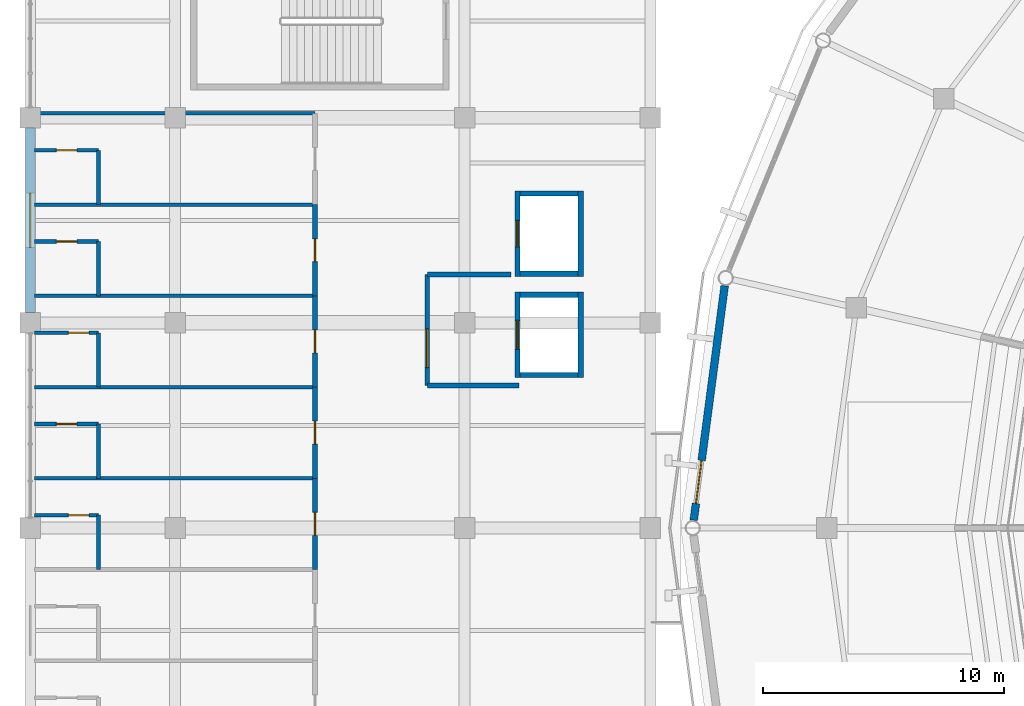
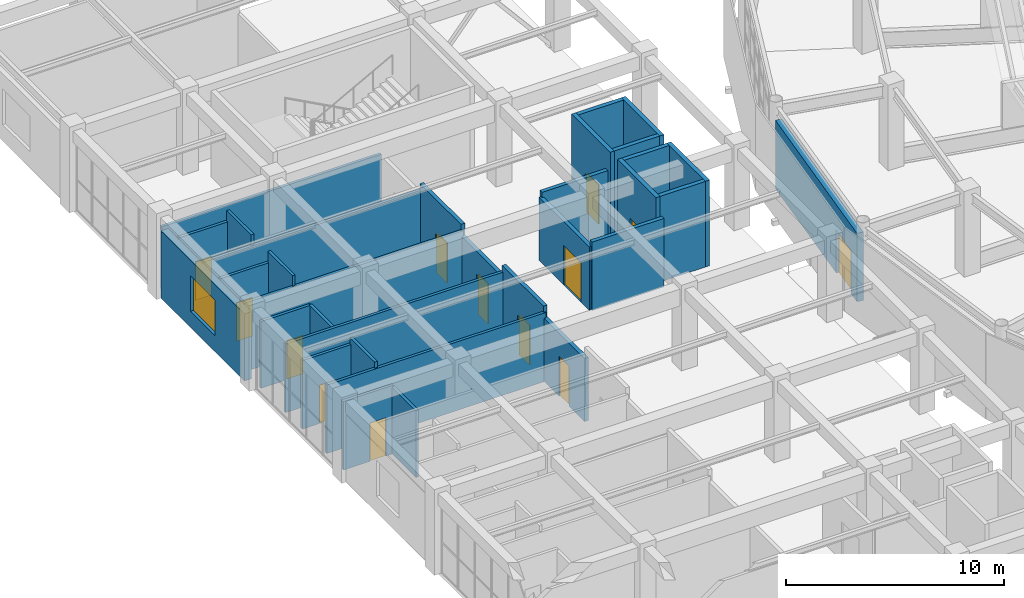
# One storey, part 97 of 122: 32 walls, 13 doors, 1 window, 14 openings.
"""IFC4 building model written with IfcOpenShell, lengths in metres."""

from ifc_helpers import new_model, si_unit, direction, frame, frame_2d, origin, place, context, subcontext, project, spatial, rectangle, extrude, material, layer, layer_set, type_object, element, fill, save


model = new_model("IFC4")

# Units and contexts
model_context = context("Model", 3, precision=1e-05, world=origin(), true_north=direction((0.0, 1.0)))
body_context = subcontext(model_context, "Body", "Model", "MODEL_VIEW")
ifc_project = project(units=[si_unit("LENGTHUNIT", "METRE"), si_unit("AREAUNIT", "SQUARE_METRE"), si_unit("VOLUMEUNIT", "CUBIC_METRE"), si_unit("PLANEANGLEUNIT", "RADIAN"), si_unit("MASSUNIT", "GRAM", prefix="KILO")], contexts=[model_context])

# Site, building, storey
site_placement = place(None, origin())
site = spatial("IfcSite", under=ifc_project, at=site_placement, CompositionType="ELEMENT")
building_placement = place(site_placement, origin())
building = spatial("IfcBuilding", under=site, at=building_placement, Name="Cuetzalor Civic Arena", CompositionType="ELEMENT")
storey_placement = place(building_placement, frame((0.0, 0.0, 16.199951171875)))
storey = spatial("IfcBuildingStorey", under=building, at=storey_placement, Name="L03", CompositionType="ELEMENT", Elevation=16.199951171875)

# Wall, opening, door
ifc_material_1 = material(Name="Acoustic steel-stud gypsum partition", Category="steel")
ifc_layer_1 = layer(ifc_material_1, 0.14990234375)
ifc_layer_set_1 = layer_set([ifc_layer_1], Name="Acoustic steel-stud gypsum partition")
wall_type_1 = type_object("IfcWallType", Name="AcousticGypsumPartition_150", PredefinedType="PARTITIONING", material=ifc_layer_set_1)
wall_1_placement = place(storey_placement, frame((-81.820068359375, 0.530029296875, 0.0), z_axis=(0.0, 0.0, 1.0), x_axis=(1.0, 0.0, 0.0)))
wall_1 = element("IfcWall", 1, at=wall_1_placement, inside=storey, type_object=wall_type_1, Name="Interior Partition IWALL:L03:0412", PredefinedType="PARTITIONING", context=body_context, shape_type="SweptSolid", body=[
    extrude(rectangle(XDim=2.650146484375, YDim=0.14990234375, at=frame_2d((1.3251953125, 0.0))), origin(), (0.0, 0.0, 1.0), 3.844970703125),
])
opening_1_placement = place(wall_1_placement, frame((1.39990234375, 0.0, 0.0)))
opening_1 = element("IfcOpeningElement", 2, at=opening_1_placement, cuts=wall_1, Name="Opening ID-01", PredefinedType="OPENING", context=body_context, shape_type="SweptSolid", body=[
    extrude(rectangle(XDim=0.85009765625, YDim=2.14990234375, at=frame_2d((0.425048828125, 1.074951171875))), frame((0.0, 0.0849609375, 0.0), z_axis=(0.0, -1.0, 0.0), x_axis=(1.0, 0.0, 0.0)), (0.0, 0.0, 1.0), 0.169921875),
])
ifc_material_2 = material(Name="Painted steel frame and solid timber leaf", Category="steel")
door_type_1 = type_object("IfcDoorType", Name="InteriorSingleDoor_850x2150", OperationType="NOTDEFINED", PredefinedType="DOOR", material=ifc_material_2)
door_1_placement = place(opening_1_placement, origin())
door_1 = element("IfcDoor", 3, at=door_1_placement, inside=storey, type_object=door_type_1, Name="Door to Suite Bathroom 307", OperationType="SINGLE_SWING_LEFT", OverallHeight=2.14990234375, OverallWidth=0.85009765625, PredefinedType="DOOR", context=body_context, shape_type="SweptSolid", body=[
    extrude(rectangle(XDim=0.85009765625, YDim=2.14990234375, at=frame_2d((0.425048828125, 1.074951171875))), frame((0.0, 0.02490234375, 0.0), z_axis=(0.0, -1.0, 0.0), x_axis=(1.0, 0.0, 0.0)), (0.0, 0.0, 1.0), 0.050048828125),
])
fill(opening_1, door_1)

# Walls
wall_2_placement = place(storey_placement, frame((-79.169921875, 0.530029296875, 0.0), z_axis=(0.0, 0.0, 1.0), x_axis=(0.0, -1.0, 0.0)))
element("IfcWall", 4, at=wall_2_placement, inside=storey, type_object=wall_type_1, Name="Interior Partition IWALL:L03:0413", PredefinedType="PARTITIONING", context=body_context, shape_type="SweptSolid", body=[
    extrude(rectangle(XDim=2.25, YDim=0.14990234375, at=frame_2d((1.125, 0.0))), origin(), (0.0, 0.0, 1.0), 3.7451171875),
])
wall_3_placement = place(storey_placement, frame((-81.820068359375, 2.06005859375, 0.0), z_axis=(0.0, 0.0, 1.0), x_axis=(1.0, 0.0, 0.0)))
element("IfcWall", 5, at=wall_3_placement, inside=storey, type_object=wall_type_1, Name="Interior Partition IWALL:L03:0415", PredefinedType="PARTITIONING", context=body_context, shape_type="SweptSolid", body=[
    extrude(rectangle(XDim=11.6201171875, YDim=0.14990234375, at=frame_2d((5.81005859375, 0.0))), origin(), (0.0, 0.0, 1.0), 3.844970703125),
])

# Wall, opening, door
wall_4_placement = place(storey_placement, frame((-81.820068359375, 4.31005859375, 0.0), z_axis=(0.0, 0.0, 1.0), x_axis=(1.0, 0.0, 0.0)))
wall_4 = element("IfcWall", 6, at=wall_4_placement, inside=storey, type_object=wall_type_1, Name="Interior Partition IWALL:L03:0416", PredefinedType="PARTITIONING", context=body_context, shape_type="SweptSolid", body=[
    extrude(rectangle(XDim=2.650146484375, YDim=0.14990234375, at=frame_2d((1.3251953125, 0.0))), origin(), (0.0, 0.0, 1.0), 3.844970703125),
])
opening_2_placement = place(wall_4_placement, frame((0.89990234375, 0.0, 0.0)))
opening_2 = element("IfcOpeningElement", 7, at=opening_2_placement, cuts=wall_4, Name="Opening ID-01", PredefinedType="OPENING", context=body_context, shape_type="SweptSolid", body=[
    extrude(rectangle(XDim=0.85009765625, YDim=2.14990234375, at=frame_2d((0.425048828125, 1.074951171875))), frame((0.0, 0.0849609375, 0.0), z_axis=(0.0, -1.0, 0.0), x_axis=(1.0, 0.0, 0.0)), (0.0, 0.0, 1.0), 0.169921875),
])
door_2_placement = place(opening_2_placement, origin())
door_2 = element("IfcDoor", 8, at=door_2_placement, inside=storey, type_object=door_type_1, Name="Door to Suite Bathroom 308", OperationType="SINGLE_SWING_LEFT", OverallHeight=2.14990234375, OverallWidth=0.85009765625, PredefinedType="DOOR", context=body_context, shape_type="SweptSolid", body=[
    extrude(rectangle(XDim=0.85009765625, YDim=2.14990234375, at=frame_2d((0.425048828125, 1.074951171875))), frame((0.0, 0.02490234375, 0.0), z_axis=(0.0, -1.0, 0.0), x_axis=(1.0, 0.0, 0.0)), (0.0, 0.0, 1.0), 0.050048828125),
])
fill(opening_2, door_2)

# Walls
wall_5_placement = place(storey_placement, frame((-79.169921875, 4.31005859375, 0.0), z_axis=(0.0, 0.0, 1.0), x_axis=(0.0, -1.0, 0.0)))
element("IfcWall", 9, at=wall_5_placement, inside=storey, type_object=wall_type_1, Name="Interior Partition IWALL:L03:0417", PredefinedType="PARTITIONING", context=body_context, shape_type="SweptSolid", body=[
    extrude(rectangle(XDim=2.25, YDim=0.14990234375, at=frame_2d((1.125, 0.0))), origin(), (0.0, 0.0, 1.0), 4.18212890625),
])
wall_6_placement = place(storey_placement, frame((-81.820068359375, 5.840087890625, 0.0), z_axis=(0.0, 0.0, 1.0), x_axis=(1.0, 0.0, 0.0)))
element("IfcWall", 10, at=wall_6_placement, inside=storey, type_object=wall_type_1, Name="Interior Partition IWALL:L03:0419", PredefinedType="PARTITIONING", context=body_context, shape_type="SweptSolid", body=[
    extrude(rectangle(XDim=11.6201171875, YDim=0.14990234375, at=frame_2d((5.81005859375, 0.0))), origin(), (0.0, 0.0, 1.0), 3.844970703125),
])

# Wall, opening, door
wall_7_placement = place(storey_placement, frame((-81.820068359375, 8.090087890625, 0.0), z_axis=(0.0, 0.0, 1.0), x_axis=(1.0, 0.0, 0.0)))
wall_7 = element("IfcWall", 11, at=wall_7_placement, inside=storey, type_object=wall_type_1, Name="Interior Partition IWALL:L03:0420", PredefinedType="PARTITIONING", context=body_context, shape_type="SweptSolid", body=[
    extrude(rectangle(XDim=2.650146484375, YDim=0.14990234375, at=frame_2d((1.3251953125, 0.0))), origin(), (0.0, 0.0, 1.0), 3.7451171875),
])
opening_3_placement = place(wall_7_placement, frame((1.39990234375, 0.0, 0.0)))
opening_3 = element("IfcOpeningElement", 12, at=opening_3_placement, cuts=wall_7, Name="Opening ID-01", PredefinedType="OPENING", context=body_context, shape_type="SweptSolid", body=[
    extrude(rectangle(XDim=0.85009765625, YDim=2.14990234375, at=frame_2d((0.425048828125, 1.074951171875))), frame((0.0, 0.0849609375, 0.0), z_axis=(0.0, -1.0, 0.0), x_axis=(1.0, 0.0, 0.0)), (0.0, 0.0, 1.0), 0.169921875),
])
door_3_placement = place(opening_3_placement, origin())
door_3 = element("IfcDoor", 13, at=door_3_placement, inside=storey, type_object=door_type_1, Name="Door to Suite Bathroom 309", OperationType="SINGLE_SWING_LEFT", OverallHeight=2.14990234375, OverallWidth=0.85009765625, PredefinedType="DOOR", context=body_context, shape_type="SweptSolid", body=[
    extrude(rectangle(XDim=0.85009765625, YDim=2.14990234375, at=frame_2d((0.425048828125, 1.074951171875))), frame((0.0, 0.02490234375, 0.0), z_axis=(0.0, -1.0, 0.0), x_axis=(1.0, 0.0, 0.0)), (0.0, 0.0, 1.0), 0.050048828125),
])
fill(opening_3, door_3)

# Walls
wall_8_placement = place(storey_placement, frame((-79.169921875, 8.090087890625, 0.0), z_axis=(0.0, 0.0, 1.0), x_axis=(0.0, -1.0, 0.0)))
element("IfcWall", 14, at=wall_8_placement, inside=storey, type_object=wall_type_1, Name="Interior Partition IWALL:L03:0421", PredefinedType="PARTITIONING", context=body_context, shape_type="SweptSolid", body=[
    extrude(rectangle(XDim=2.25, YDim=0.14990234375, at=frame_2d((1.125, 0.0))), origin(), (0.0, 0.0, 1.0), 3.7451171875),
])
wall_9_placement = place(storey_placement, frame((-81.820068359375, 9.6201171875, 0.0), z_axis=(0.0, 0.0, 1.0), x_axis=(1.0, 0.0, 0.0)))
element("IfcWall", 15, at=wall_9_placement, inside=storey, type_object=wall_type_1, Name="Interior Partition IWALL:L03:0423", PredefinedType="PARTITIONING", context=body_context, shape_type="SweptSolid", body=[
    extrude(rectangle(XDim=11.6201171875, YDim=0.14990234375, at=frame_2d((5.81005859375, 0.0))), origin(), (0.0, 0.0, 1.0), 3.844970703125),
])

# Wall, opening, door
wall_10_placement = place(storey_placement, frame((-81.820068359375, 11.8701171875, 0.0), z_axis=(0.0, 0.0, 1.0), x_axis=(1.0, 0.0, 0.0)))
wall_10 = element("IfcWall", 16, at=wall_10_placement, inside=storey, type_object=wall_type_1, Name="Interior Partition IWALL:L03:0424", PredefinedType="PARTITIONING", context=body_context, shape_type="SweptSolid", body=[
    extrude(rectangle(XDim=2.650146484375, YDim=0.14990234375, at=frame_2d((1.3251953125, 0.0))), origin(), (0.0, 0.0, 1.0), 3.844970703125),
])
opening_4_placement = place(wall_10_placement, frame((0.89990234375, 0.0, 0.0)))
opening_4 = element("IfcOpeningElement", 17, at=opening_4_placement, cuts=wall_10, Name="Opening ID-01", PredefinedType="OPENING", context=body_context, shape_type="SweptSolid", body=[
    extrude(rectangle(XDim=0.85009765625, YDim=2.14990234375, at=frame_2d((0.425048828125, 1.074951171875))), frame((0.0, 0.0849609375, 0.0), z_axis=(0.0, -1.0, 0.0), x_axis=(1.0, 0.0, 0.0)), (0.0, 0.0, 1.0), 0.169921875),
])
door_4_placement = place(opening_4_placement, origin())
door_4 = element("IfcDoor", 18, at=door_4_placement, inside=storey, type_object=door_type_1, Name="Door to Suite Bathroom 310", OperationType="SINGLE_SWING_LEFT", OverallHeight=2.14990234375, OverallWidth=0.85009765625, PredefinedType="DOOR", context=body_context, shape_type="SweptSolid", body=[
    extrude(rectangle(XDim=0.85009765625, YDim=2.14990234375, at=frame_2d((0.425048828125, 1.074951171875))), frame((0.0, 0.02490234375, 0.0), z_axis=(0.0, -1.0, 0.0), x_axis=(1.0, 0.0, 0.0)), (0.0, 0.0, 1.0), 0.050048828125),
])
fill(opening_4, door_4)

# Walls
wall_11_placement = place(storey_placement, frame((-79.169921875, 11.8701171875, 0.0), z_axis=(0.0, 0.0, 1.0), x_axis=(0.0, -1.0, 0.0)))
element("IfcWall", 19, at=wall_11_placement, inside=storey, type_object=wall_type_1, Name="Interior Partition IWALL:L03:0425", PredefinedType="PARTITIONING", context=body_context, shape_type="SweptSolid", body=[
    extrude(rectangle(XDim=2.25, YDim=0.14990234375, at=frame_2d((1.125, 0.0))), origin(), (0.0, 0.0, 1.0), 4.43994140625),
])
wall_12_placement = place(storey_placement, frame((-81.820068359375, 13.39990234375, 0.0), z_axis=(0.0, 0.0, 1.0), x_axis=(1.0, 0.0, 0.0)))
element("IfcWall", 20, at=wall_12_placement, inside=storey, type_object=wall_type_1, Name="Interior Partition IWALL:L03:0427", PredefinedType="PARTITIONING", context=body_context, shape_type="SweptSolid", body=[
    extrude(rectangle(XDim=11.6201171875, YDim=0.14990234375, at=frame_2d((5.81005859375, 0.0))), origin(), (0.0, 0.0, 1.0), 3.844970703125),
])

# Wall, opening, door
wall_13_placement = place(storey_placement, frame((-81.820068359375, 15.64990234375, 0.0), z_axis=(0.0, 0.0, 1.0), x_axis=(1.0, 0.0, 0.0)))
wall_13 = element("IfcWall", 21, at=wall_13_placement, inside=storey, type_object=wall_type_1, Name="Interior Partition IWALL:L03:0428", PredefinedType="PARTITIONING", context=body_context, shape_type="SweptSolid", body=[
    extrude(rectangle(XDim=2.650146484375, YDim=0.14990234375, at=frame_2d((1.3251953125, 0.0))), origin(), (0.0, 0.0, 1.0), 3.844970703125),
])
opening_5_placement = place(wall_13_placement, frame((0.89990234375, 0.0, 0.0)))
opening_5 = element("IfcOpeningElement", 22, at=opening_5_placement, cuts=wall_13, Name="Opening ID-01", PredefinedType="OPENING", context=body_context, shape_type="SweptSolid", body=[
    extrude(rectangle(XDim=0.85009765625, YDim=2.14990234375, at=frame_2d((0.425048828125, 1.074951171875))), frame((0.0, 0.0849609375, 0.0), z_axis=(0.0, -1.0, 0.0), x_axis=(1.0, 0.0, 0.0)), (0.0, 0.0, 1.0), 0.169921875),
])
door_5_placement = place(opening_5_placement, origin())
door_5 = element("IfcDoor", 23, at=door_5_placement, inside=storey, type_object=door_type_1, Name="Door to Suite Bathroom 311", OperationType="SINGLE_SWING_LEFT", OverallHeight=2.14990234375, OverallWidth=0.85009765625, PredefinedType="DOOR", context=body_context, shape_type="SweptSolid", body=[
    extrude(rectangle(XDim=0.85009765625, YDim=2.14990234375, at=frame_2d((0.425048828125, 1.074951171875))), frame((0.0, 0.02490234375, 0.0), z_axis=(0.0, -1.0, 0.0), x_axis=(1.0, 0.0, 0.0)), (0.0, 0.0, 1.0), 0.050048828125),
])
fill(opening_5, door_5)

# Walls
wall_14_placement = place(storey_placement, frame((-79.169921875, 15.64990234375, 0.0), z_axis=(0.0, 0.0, 1.0), x_axis=(0.0, -1.0, 0.0)))
element("IfcWall", 24, at=wall_14_placement, inside=storey, type_object=wall_type_1, Name="Interior Partition IWALL:L03:0429", PredefinedType="PARTITIONING", context=body_context, shape_type="SweptSolid", body=[
    extrude(rectangle(XDim=2.25, YDim=0.14990234375, at=frame_2d((1.125, 0.0))), origin(), (0.0, 0.0, 1.0), 4.43994140625),
])
wall_15_placement = place(storey_placement, frame((-81.820068359375, 17.179931640625, 0.0), z_axis=(0.0, 0.0, 1.0), x_axis=(1.0, 0.0, 0.0)))
element("IfcWall", 25, at=wall_15_placement, inside=storey, type_object=wall_type_1, Name="Interior Partition IWALL:L03:0431", PredefinedType="PARTITIONING", context=body_context, shape_type="SweptSolid", body=[
    extrude(rectangle(XDim=11.6201171875, YDim=0.14990234375, at=frame_2d((5.81005859375, 0.0))), origin(), (0.0, 0.0, 1.0), 3.545166015625),
])

# Wall, opening, door
ifc_material_3 = material(Name="Fire-rated masonry and gypsum partition", Category="masonry")
ifc_layer_2 = layer(ifc_material_3, 0.199951171875)
ifc_layer_set_2 = layer_set([ifc_layer_2], Name="Fire-rated masonry and gypsum partition")
wall_type_2 = type_object("IfcWallType", Name="FireCompartmentWall_200", PredefinedType="PARTITIONING", material=ifc_layer_set_2)
wall_16_placement = place(storey_placement, frame((-65.550048828125, 5.89990234375, 0.0), z_axis=(0.0, 0.0, 1.0), x_axis=(0.0, 1.0, 0.0)))
wall_16 = element("IfcWall", 26, at=wall_16_placement, inside=storey, type_object=wall_type_2, Name="Interior Partition IWALL:L03:0028", PredefinedType="PARTITIONING", context=body_context, shape_type="SweptSolid", body=[
    extrude(rectangle(XDim=4.60009765625, YDim=0.199951171875, at=frame_2d((2.300048828125, 0.0))), origin(), (0.0, 0.0, 1.0), 3.545166015625),
])
opening_6_placement = place(wall_16_placement, frame((0.75, 0.0, 0.0)))
opening_6 = element("IfcOpeningElement", 27, at=opening_6_placement, cuts=wall_16, Name="Opening FD-05", PredefinedType="OPENING", context=body_context, shape_type="SweptSolid", body=[
    extrude(rectangle(XDim=1.60009765625, YDim=2.199951171875, at=frame_2d((0.800048828125, 1.10009765625))), frame((0.0, 0.10986328125, 0.0), z_axis=(0.0, -1.0, 0.0), x_axis=(1.0, 0.0, 0.0)), (0.0, 0.0, 1.0), 0.219970703125),
])
ifc_material_4 = material(Name="Fire-rated smoke-seal lobby double door", Category="steel")
door_type_2 = type_object("IfcDoorType", Name="FireLobbyDoubleDoor_1600x2200", OperationType="DOUBLE_DOOR_SINGLE_SWING", PredefinedType="DOOR", material=ifc_material_4)
door_6_placement = place(opening_6_placement, origin())
door_6 = element("IfcDoor", 28, at=door_6_placement, inside=storey, type_object=door_type_2, Name="Door to Firefighting Lift Lobby LF-02 L03", OperationType="DOUBLE_DOOR_SINGLE_SWING", OverallHeight=2.199951171875, OverallWidth=1.60009765625, PredefinedType="DOOR", context=body_context, shape_type="SweptSolid", body=[
    extrude(rectangle(XDim=1.60009765625, YDim=2.199951171875, at=frame_2d((0.800048828125, 1.10009765625))), frame((0.0, 0.02490234375, 0.0), z_axis=(0.0, -1.0, 0.0), x_axis=(1.0, 0.0, 0.0)), (0.0, 0.0, 1.0), 0.050048828125),
])
fill(opening_6, door_6)

# Walls
wall_17_placement = place(storey_placement, frame((-65.550048828125, 10.5, 0.0), z_axis=(0.0, 0.0, 1.0), x_axis=(1.0, 0.0, 0.0)))
element("IfcWall", 29, at=wall_17_placement, inside=storey, type_object=wall_type_2, Name="Interior Partition IWALL:L03:0029", PredefinedType="PARTITIONING", context=body_context, shape_type="SweptSolid", body=[
    extrude(rectangle(XDim=3.47998046875, YDim=0.199951171875, at=frame_2d((1.739990234375, 0.0))), origin(), (0.0, 0.0, 1.0), 3.844970703125),
])
wall_18_placement = place(storey_placement, frame((-61.75, 5.89990234375, 0.0), z_axis=(0.0, 0.0, 1.0), x_axis=(-1.0, 0.0, 0.0)))
element("IfcWall", 30, at=wall_18_placement, inside=storey, type_object=wall_type_2, Name="Interior Partition IWALL:L03:0030", PredefinedType="PARTITIONING", context=body_context, shape_type="SweptSolid", body=[
    extrude(rectangle(XDim=3.800048828125, YDim=0.199951171875, at=frame_2d((1.89990234375, 0.0))), origin(), (0.0, 0.0, 1.0), 3.844970703125),
])

# Wall, opening, door
wall_19_placement = place(storey_placement, frame((-70.199951171875, 2.06005859375, 0.0), z_axis=(0.0, 0.0, 1.0), x_axis=(0.0, -1.0, 0.0)))
wall_19 = element("IfcWall", 31, at=wall_19_placement, inside=storey, type_object=wall_type_2, Name="Interior Partition IWALL:L03:0414", PredefinedType="PARTITIONING", context=body_context, shape_type="SweptSolid", body=[
    extrude(rectangle(XDim=3.780029296875, YDim=0.199951171875, at=frame_2d((1.89013671875, 0.0))), origin(), (0.0, 0.0, 1.0), 3.545166015625),
])
opening_7_placement = place(wall_19_placement, frame((1.4150390625, 0.0, 0.0)))
opening_7 = element("IfcOpeningElement", 32, at=opening_7_placement, cuts=wall_19, Name="Opening ID-05", PredefinedType="OPENING", context=body_context, shape_type="SweptSolid", body=[
    extrude(rectangle(XDim=0.949951171875, YDim=2.25, at=frame_2d((0.47509765625, 1.125))), frame((0.0, 0.10986328125, 0.0), z_axis=(0.0, -1.0, 0.0), x_axis=(1.0, 0.0, 0.0)), (0.0, 0.0, 1.0), 0.219970703125),
])
ifc_material_5 = material(Name="Bronze-clad fire-rated acoustic timber door", Category="wood")
door_type_3 = type_object("IfcDoorType", Name="SuiteEntryDoor_950x2150", OperationType="NOTDEFINED", PredefinedType="DOOR", material=ifc_material_5)
door_7_placement = place(opening_7_placement, origin())
door_7 = element("IfcDoor", 33, at=door_7_placement, inside=storey, type_object=door_type_3, Name="Door to Private Viewing Suite 307", OperationType="SINGLE_SWING_RIGHT", OverallHeight=2.25, OverallWidth=0.949951171875, PredefinedType="DOOR", context=body_context, shape_type="SweptSolid", body=[
    extrude(rectangle(XDim=0.949951171875, YDim=2.25, at=frame_2d((0.47509765625, 1.125))), frame((0.0, 0.02490234375, 0.0), z_axis=(0.0, -1.0, 0.0), x_axis=(1.0, 0.0, 0.0)), (0.0, 0.0, 1.0), 0.050048828125),
])
fill(opening_7, door_7)

wall_20_placement = place(storey_placement, frame((-70.199951171875, 5.840087890625, 0.0), z_axis=(0.0, 0.0, 1.0), x_axis=(0.0, -1.0, 0.0)))
wall_20 = element("IfcWall", 34, at=wall_20_placement, inside=storey, type_object=wall_type_2, Name="Interior Partition IWALL:L03:0418", PredefinedType="PARTITIONING", context=body_context, shape_type="SweptSolid", body=[
    extrude(rectangle(XDim=3.780029296875, YDim=0.199951171875, at=frame_2d((1.89013671875, 0.0))), origin(), (0.0, 0.0, 1.0), 4.18212890625),
])
opening_8_placement = place(wall_20_placement, frame((1.4150390625, 0.0, 0.0)))
opening_8 = element("IfcOpeningElement", 35, at=opening_8_placement, cuts=wall_20, Name="Opening ID-05", PredefinedType="OPENING", context=body_context, shape_type="SweptSolid", body=[
    extrude(rectangle(XDim=0.949951171875, YDim=2.25, at=frame_2d((0.47509765625, 1.125))), frame((0.0, 0.10986328125, 0.0), z_axis=(0.0, -1.0, 0.0), x_axis=(1.0, 0.0, 0.0)), (0.0, 0.0, 1.0), 0.219970703125),
])
door_8_placement = place(opening_8_placement, origin())
door_8 = element("IfcDoor", 36, at=door_8_placement, inside=storey, type_object=door_type_3, Name="Door to Private Viewing Suite 308", OperationType="SINGLE_SWING_RIGHT", OverallHeight=2.25, OverallWidth=0.949951171875, PredefinedType="DOOR", context=body_context, shape_type="SweptSolid", body=[
    extrude(rectangle(XDim=0.949951171875, YDim=2.25, at=frame_2d((0.47509765625, 1.125))), frame((0.0, 0.02490234375, 0.0), z_axis=(0.0, -1.0, 0.0), x_axis=(1.0, 0.0, 0.0)), (0.0, 0.0, 1.0), 0.050048828125),
])
fill(opening_8, door_8)

wall_21_placement = place(storey_placement, frame((-70.199951171875, 9.6201171875, 0.0), z_axis=(0.0, 0.0, 1.0), x_axis=(0.0, -1.0, 0.0)))
wall_21 = element("IfcWall", 37, at=wall_21_placement, inside=storey, type_object=wall_type_2, Name="Interior Partition IWALL:L03:0422", PredefinedType="PARTITIONING", context=body_context, shape_type="SweptSolid", body=[
    extrude(rectangle(XDim=3.780029296875, YDim=0.199951171875, at=frame_2d((1.89013671875, 0.0))), origin(), (0.0, 0.0, 1.0), 3.545166015625),
])
opening_9_placement = place(wall_21_placement, frame((1.4150390625, 0.0, 0.0)))
opening_9 = element("IfcOpeningElement", 38, at=opening_9_placement, cuts=wall_21, Name="Opening ID-05", PredefinedType="OPENING", context=body_context, shape_type="SweptSolid", body=[
    extrude(rectangle(XDim=0.949951171875, YDim=2.25, at=frame_2d((0.47509765625, 1.125))), frame((0.0, 0.10986328125, 0.0), z_axis=(0.0, -1.0, 0.0), x_axis=(1.0, 0.0, 0.0)), (0.0, 0.0, 1.0), 0.219970703125),
])
door_9_placement = place(opening_9_placement, origin())
door_9 = element("IfcDoor", 39, at=door_9_placement, inside=storey, type_object=door_type_3, Name="Door to Private Viewing Suite 309", OperationType="SINGLE_SWING_RIGHT", OverallHeight=2.25, OverallWidth=0.949951171875, PredefinedType="DOOR", context=body_context, shape_type="SweptSolid", body=[
    extrude(rectangle(XDim=0.949951171875, YDim=2.25, at=frame_2d((0.47509765625, 1.125))), frame((0.0, 0.02490234375, 0.0), z_axis=(0.0, -1.0, 0.0), x_axis=(1.0, 0.0, 0.0)), (0.0, 0.0, 1.0), 0.050048828125),
])
fill(opening_9, door_9)

wall_22_placement = place(storey_placement, frame((-70.199951171875, 13.39990234375, 0.0), z_axis=(0.0, 0.0, 1.0), x_axis=(0.0, -1.0, 0.0)))
wall_22 = element("IfcWall", 40, at=wall_22_placement, inside=storey, type_object=wall_type_2, Name="Interior Partition IWALL:L03:0426", PredefinedType="PARTITIONING", context=body_context, shape_type="SweptSolid", body=[
    extrude(rectangle(XDim=3.77978515625, YDim=0.199951171875, at=frame_2d((1.889892578125, 0.0))), origin(), (0.0, 0.0, 1.0), 4.18212890625),
])
opening_10_placement = place(wall_22_placement, frame((1.4150390625, 0.0, 0.0)))
opening_10 = element("IfcOpeningElement", 41, at=opening_10_placement, cuts=wall_22, Name="Opening ID-05", PredefinedType="OPENING", context=body_context, shape_type="SweptSolid", body=[
    extrude(rectangle(XDim=0.949951171875, YDim=2.25, at=frame_2d((0.47509765625, 1.125))), frame((0.0, 0.10986328125, 0.0), z_axis=(0.0, -1.0, 0.0), x_axis=(1.0, 0.0, 0.0)), (0.0, 0.0, 1.0), 0.219970703125),
])
door_10_placement = place(opening_10_placement, origin())
door_10 = element("IfcDoor", 42, at=door_10_placement, inside=storey, type_object=door_type_3, Name="Door to Private Viewing Suite 310", OperationType="SINGLE_SWING_RIGHT", OverallHeight=2.25, OverallWidth=0.949951171875, PredefinedType="DOOR", context=body_context, shape_type="SweptSolid", body=[
    extrude(rectangle(XDim=0.949951171875, YDim=2.25, at=frame_2d((0.47509765625, 1.125))), frame((0.0, 0.02490234375, 0.0), z_axis=(0.0, -1.0, 0.0), x_axis=(1.0, 0.0, 0.0)), (0.0, 0.0, 1.0), 0.050048828125),
])
fill(opening_10, door_10)

ifc_material_6 = material(Name="Precast concrete C40/50 insulated cladding", Category="concrete")
ifc_layer_3 = layer(ifc_material_6, 0.320068359375)
ifc_layer_set_3 = layer_set([ifc_layer_3], Name="Precast concrete C40/50 insulated cladding")
wall_type_3 = type_object("IfcWallType", Name="InsulatedPrecastWall_320", PredefinedType="SOLIDWALL", material=ifc_layer_set_3)
wall_23_placement = place(storey_placement, frame((-54.507568359375, 0.321533203125, 0.0), z_axis=(0.0, 0.0, 1.0), x_axis=(0.130894016981, 0.991396366908, 0.0)))
wall_23 = element("IfcWall", 43, at=wall_23_placement, inside=storey, type_object=wall_type_3, Name="Drum Acoustic Backing Wall L03-048", PredefinedType="SOLIDWALL", context=body_context, shape_type="SweptSolid", body=[
    extrude(rectangle(XDim=9.799560546875, YDim=0.320068359375, at=frame_2d((4.89990234375, 0.0))), origin(), (0.0, 0.0, 1.0), 3.83203125),
])
opening_11_placement = place(wall_23_placement, frame((0.699951171875, 0.0, 0.0)))
opening_11 = element("IfcOpeningElement", 44, at=opening_11_placement, cuts=wall_23, Name="Opening ED-09", PredefinedType="OPENING", context=body_context, shape_type="SweptSolid", body=[
    extrude(rectangle(XDim=1.800048828125, YDim=2.39990234375, at=frame_2d((0.89990234375, 1.199951171875))), frame((0.0, 0.169921875, 0.0), z_axis=(0.0, -1.0, 0.0), x_axis=(1.0, 0.0, 0.0)), (0.0, 0.0, 1.0), 0.340087890625),
])
ifc_material_7 = material(Name="Thermally broken bronze steel and laminated glass", Category="steel")
door_type_4 = type_object("IfcDoorType", Name="RoofGardenGlazedDoor_1800x2400", OperationType="DOUBLE_DOOR_SINGLE_SWING", PredefinedType="DOOR", material=ifc_material_7)
door_11_placement = place(opening_11_placement, origin())
door_11 = element("IfcDoor", 45, at=door_11_placement, inside=storey, type_object=door_type_4, Name="Seismic Bridge Circulation Door L03-S14", OperationType="DOUBLE_DOOR_SINGLE_SWING", OverallHeight=2.39990234375, OverallWidth=1.800048828125, PredefinedType="DOOR", context=body_context, shape_type="SweptSolid", body=[
    extrude(rectangle(XDim=1.800048828125, YDim=2.39990234375, at=frame_2d((0.89990234375, 1.199951171875))), frame((0.0, 0.02490234375, 0.0), z_axis=(0.0, -1.0, 0.0), x_axis=(1.0, 0.0, 0.0)), (0.0, 0.0, 1.0), 0.050048828125),
])
fill(opening_11, door_11)

ifc_material_8 = material(Name="Concrete C40/50", Category="concrete")
ifc_layer_4 = layer(ifc_material_8, 0.219970703125)
ifc_layer_set_4 = layer_set([ifc_layer_4], Name="Concrete C40/50")
wall_type_4 = type_object("IfcWallType", Name="LiftShaftShearWall_220", PredefinedType="SHEAR", material=ifc_layer_set_4)
wall_24_placement = place(storey_placement, frame((-61.81005859375, 6.22998046875, 0.0), z_axis=(0.0, 0.0, 1.0), x_axis=(0.0, 1.0, 0.0)))
wall_24 = element("IfcWall", 46, at=wall_24_placement, inside=storey, type_object=wall_type_4, Name="Lift Shaft Wall LF-02-L03-W", PredefinedType="SHEAR", context=body_context, shape_type="SweptSolid", body=[
    extrude(rectangle(XDim=3.5400390625, YDim=0.219970703125, at=frame_2d((1.77001953125, 0.0))), origin(), (0.0, 0.0, 1.0), 4.800048828125),
])
opening_12_placement = place(wall_24_placement, frame((1.169921875, 0.0, 0.0)))
opening_12 = element("IfcOpeningElement", 47, at=opening_12_placement, cuts=wall_24, Name="Opening LD-02", PredefinedType="OPENING", context=body_context, shape_type="SweptSolid", body=[
    extrude(rectangle(XDim=1.199951171875, YDim=2.199951171875, at=frame_2d((0.60009765625, 1.10009765625))), frame((0.0, 0.1201171875, 0.0), z_axis=(0.0, -1.0, 0.0), x_axis=(1.0, 0.0, 0.0)), (0.0, 0.0, 1.0), 0.239990234375),
])
ifc_material_9 = material(Name="Fire-rated stainless steel sliding lift landing door", Category="steel")
door_type_5 = type_object("IfcDoorType", Name="LiftLandingSlidingDoor_1200x2200", OperationType="SLIDING_TO_LEFT", PredefinedType="DOOR", material=ifc_material_9)
door_12_placement = place(opening_12_placement, origin())
door_12 = element("IfcDoor", 48, at=door_12_placement, inside=storey, type_object=door_type_5, Name="Lift Landing Sliding Door LF-02 L03", OperationType="SLIDING_TO_LEFT", OverallHeight=2.199951171875, OverallWidth=1.199951171875, PredefinedType="DOOR", context=body_context, shape_type="SweptSolid", body=[
    extrude(rectangle(XDim=1.199951171875, YDim=2.199951171875, at=frame_2d((0.60009765625, 1.10009765625))), frame((0.0, 0.02490234375, 0.0), z_axis=(0.0, -1.0, 0.0), x_axis=(1.0, 0.0, 0.0)), (0.0, 0.0, 1.0), 0.050048828125),
])
fill(opening_12, door_12)

# Walls
wall_25_placement = place(storey_placement, frame((-61.699951171875, 9.659912109375, 0.0), z_axis=(0.0, 0.0, 1.0), x_axis=(1.0, 0.0, 0.0)))
element("IfcWall", 49, at=wall_25_placement, inside=storey, type_object=wall_type_4, Name="Lift Shaft Wall LF-02-L03-N", PredefinedType="SHEAR", context=body_context, shape_type="SweptSolid", body=[
    extrude(rectangle(XDim=2.39990234375, YDim=0.219970703125, at=frame_2d((1.199951171875, 0.0))), origin(), (0.0, 0.0, 1.0), 4.800048828125),
])
wall_26_placement = place(storey_placement, frame((-59.18994140625, 9.77001953125, 0.0), z_axis=(0.0, 0.0, 1.0), x_axis=(0.0, -1.0, 0.0)))
element("IfcWall", 50, at=wall_26_placement, inside=storey, type_object=wall_type_4, Name="Lift Shaft Wall LF-02-L03-E", PredefinedType="SHEAR", context=body_context, shape_type="SweptSolid", body=[
    extrude(rectangle(XDim=3.5400390625, YDim=0.219970703125, at=frame_2d((1.77001953125, 0.0))), origin(), (0.0, 0.0, 1.0), 4.800048828125),
])
wall_27_placement = place(storey_placement, frame((-59.300048828125, 6.340087890625, 0.0), z_axis=(0.0, 0.0, 1.0), x_axis=(-1.0, 0.0, 0.0)))
element("IfcWall", 51, at=wall_27_placement, inside=storey, type_object=wall_type_4, Name="Lift Shaft Wall LF-02-L03-S", PredefinedType="SHEAR", context=body_context, shape_type="SweptSolid", body=[
    extrude(rectangle(XDim=2.39990234375, YDim=0.219970703125, at=frame_2d((1.199951171875, 0.0))), origin(), (0.0, 0.0, 1.0), 4.800048828125),
])

# Wall, opening, door
wall_28_placement = place(storey_placement, frame((-61.81005859375, 10.429931640625, 0.0), z_axis=(0.0, 0.0, 1.0), x_axis=(0.0, 1.0, 0.0)))
wall_28 = element("IfcWall", 52, at=wall_28_placement, inside=storey, type_object=wall_type_4, Name="Lift Shaft Wall LP-04-L03-W", PredefinedType="SHEAR", context=body_context, shape_type="SweptSolid", body=[
    extrude(rectangle(XDim=3.5400390625, YDim=0.219970703125, at=frame_2d((1.77001953125, 0.0))), origin(), (0.0, 0.0, 1.0), 4.800048828125),
])
opening_13_placement = place(wall_28_placement, frame((1.219970703125, 0.0, 0.0)))
opening_13 = element("IfcOpeningElement", 53, at=opening_13_placement, cuts=wall_28, Name="Opening LD-01", PredefinedType="OPENING", context=body_context, shape_type="SweptSolid", body=[
    extrude(rectangle(XDim=1.10009765625, YDim=2.199951171875, at=frame_2d((0.550048828125, 1.10009765625))), frame((0.0, 0.1201171875, 0.0), z_axis=(0.0, -1.0, 0.0), x_axis=(1.0, 0.0, 0.0)), (0.0, 0.0, 1.0), 0.239990234375),
])
ifc_material_10 = material(Name="Brushed stainless steel sliding lift landing door", Category="steel")
door_type_6 = type_object("IfcDoorType", Name="LiftLandingSlidingDoor_1100x2200", OperationType="SLIDING_TO_LEFT", PredefinedType="DOOR", material=ifc_material_10)
door_13_placement = place(opening_13_placement, origin())
door_13 = element("IfcDoor", 54, at=door_13_placement, inside=storey, type_object=door_type_6, Name="Lift Landing Sliding Door LP-04 L03", OperationType="SLIDING_TO_LEFT", OverallHeight=2.199951171875, OverallWidth=1.10009765625, PredefinedType="DOOR", context=body_context, shape_type="SweptSolid", body=[
    extrude(rectangle(XDim=1.10009765625, YDim=2.199951171875, at=frame_2d((0.550048828125, 1.10009765625))), frame((0.0, 0.02490234375, 0.0), z_axis=(0.0, -1.0, 0.0), x_axis=(1.0, 0.0, 0.0)), (0.0, 0.0, 1.0), 0.050048828125),
])
fill(opening_13, door_13)

# Walls
wall_29_placement = place(storey_placement, frame((-61.699951171875, 13.860107421875, 0.0), z_axis=(0.0, 0.0, 1.0), x_axis=(1.0, 0.0, 0.0)))
element("IfcWall", 55, at=wall_29_placement, inside=storey, type_object=wall_type_4, Name="Lift Shaft Wall LP-04-L03-N", PredefinedType="SHEAR", context=body_context, shape_type="SweptSolid", body=[
    extrude(rectangle(XDim=2.39990234375, YDim=0.219970703125, at=frame_2d((1.199951171875, 0.0))), origin(), (0.0, 0.0, 1.0), 4.800048828125),
])
wall_30_placement = place(storey_placement, frame((-59.18994140625, 13.969970703125, 0.0), z_axis=(0.0, 0.0, 1.0), x_axis=(0.0, -1.0, 0.0)))
element("IfcWall", 56, at=wall_30_placement, inside=storey, type_object=wall_type_4, Name="Lift Shaft Wall LP-04-L03-E", PredefinedType="SHEAR", context=body_context, shape_type="SweptSolid", body=[
    extrude(rectangle(XDim=3.5400390625, YDim=0.219970703125, at=frame_2d((1.77001953125, 0.0))), origin(), (0.0, 0.0, 1.0), 4.800048828125),
])
wall_31_placement = place(storey_placement, frame((-59.300048828125, 10.5400390625, 0.0), z_axis=(0.0, 0.0, 1.0), x_axis=(-1.0, 0.0, 0.0)))
element("IfcWall", 57, at=wall_31_placement, inside=storey, type_object=wall_type_4, Name="Lift Shaft Wall LP-04-L03-S", PredefinedType="SHEAR", context=body_context, shape_type="SweptSolid", body=[
    extrude(rectangle(XDim=2.39990234375, YDim=0.219970703125, at=frame_2d((1.199951171875, 0.0))), origin(), (0.0, 0.0, 1.0), 4.800048828125),
])

# Wall, opening, window
ifc_material_11 = material(Name="Polychrome Talavera ceramic on Concrete C35/45", Category="concrete")
ifc_layer_5 = layer(ifc_material_11, 0.3798828125)
ifc_layer_set_5 = layer_set([ifc_layer_5], Name="Polychrome Talavera ceramic on Concrete C35/45")
wall_type_5 = type_object("IfcWallType", Name="TalaveraSpandrelWall_380", PredefinedType="SOLIDWALL", material=ifc_layer_set_5)
wall_32_placement = place(storey_placement, frame((-82.0, 8.906982421875, 0.0), z_axis=(0.0, 0.0, 1.0), x_axis=(0.0, 1.0, 0.0)))
wall_32 = element("IfcWall", 58, at=wall_32_placement, inside=storey, type_object=wall_type_5, Name="V4W Outer Talavera Wall L03-139", PredefinedType="SOLIDWALL", context=body_context, shape_type="SweptSolid", body=[
    extrude(rectangle(XDim=7.68603515625, YDim=0.3798828125, at=frame_2d((3.843017578125, 0.0))), origin(), (0.0, 0.0, 1.0), 3.760009765625),
])
opening_14_placement = place(wall_32_placement, frame((2.718017578125, 0.0, 0.89990234375)))
opening_14 = element("IfcOpeningElement", 59, at=opening_14_placement, cuts=wall_32, Name="Opening WN-34", PredefinedType="OPENING", context=body_context, shape_type="SweptSolid", body=[
    extrude(rectangle(XDim=2.25, YDim=2.0, at=frame_2d((1.125, 1.0))), frame((0.0, 0.199951171875, 0.0), z_axis=(0.0, -1.0, 0.0), x_axis=(1.0, 0.0, 0.0)), (0.0, 0.0, 1.0), 0.39990234375),
])
ifc_material_12 = material(Name="Anodised bronze aluminium and low-E solar glass", Category="aluminium")
window_type = type_object("IfcWindowType", Name="BronzeThermalWindow_2250x2000", PartitioningType="DOUBLE_PANEL_VERTICAL", PredefinedType="WINDOW", material=ifc_material_12)
window_placement = place(opening_14_placement, origin())
window = element("IfcWindow", 60, at=window_placement, inside=storey, type_object=window_type, Name="V4W Facade Window L03-0034", OverallHeight=2.0, OverallWidth=2.25, PartitioningType="SINGLE_PANEL", PredefinedType="WINDOW", context=body_context, shape_type="SweptSolid", body=[
    extrude(rectangle(XDim=2.25, YDim=2.0, at=frame_2d((1.125, 1.0))), frame((0.0, 0.030029296875, 0.0), z_axis=(0.0, -1.0, 0.0), x_axis=(1.0, 0.0, 0.0)), (0.0, 0.0, 1.0), 0.06005859375),
])
fill(opening_14, window)

save(model, "model.ifc")
